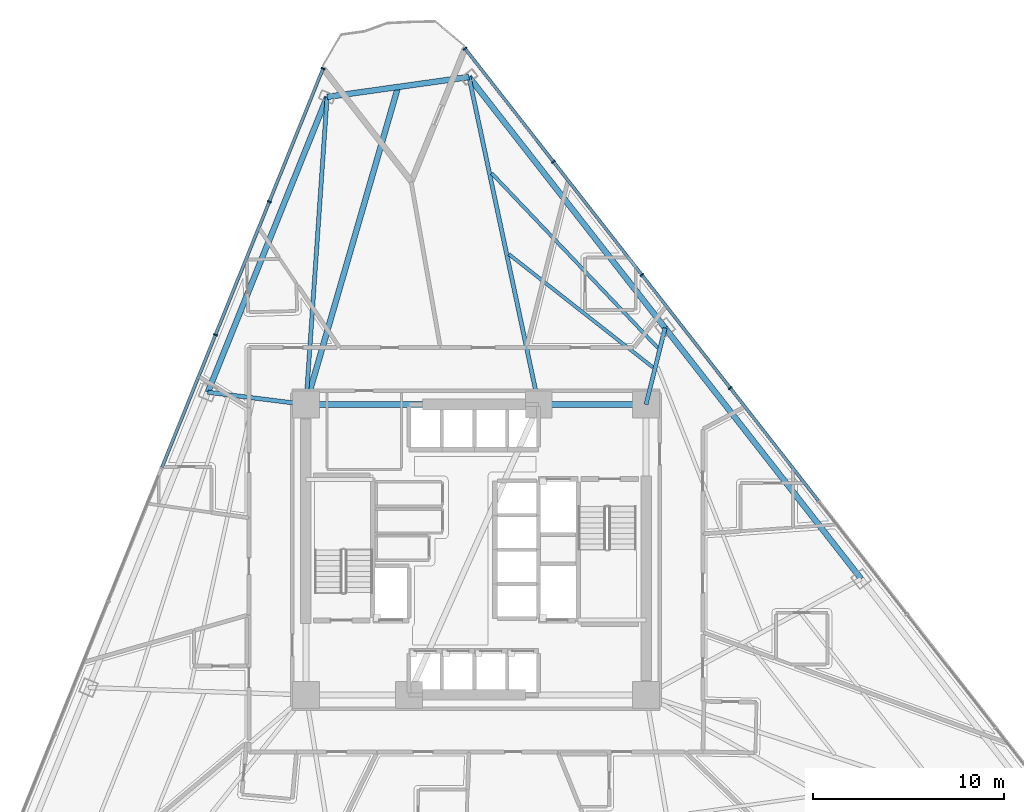
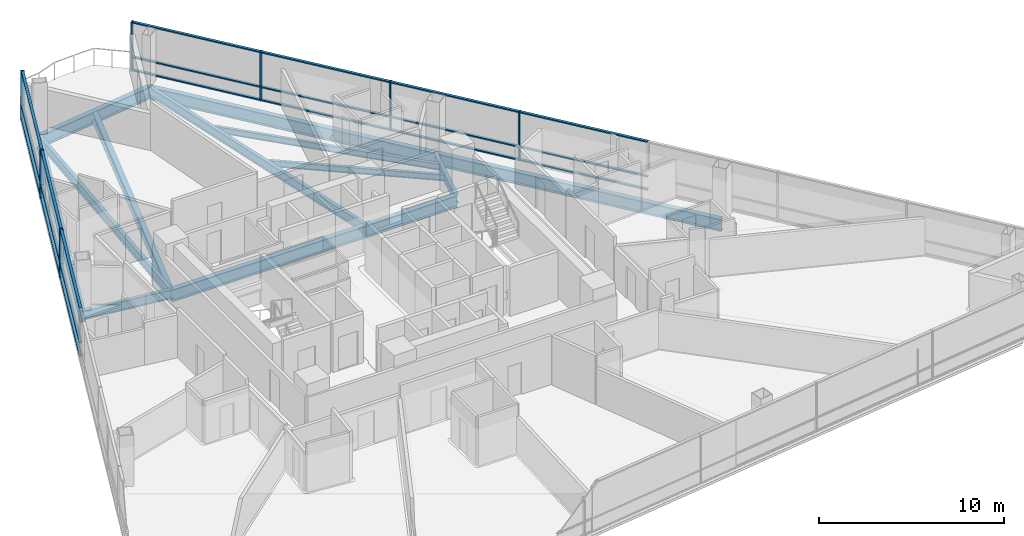
# One storey, part 5 of 15: 28 members, 13 beams, 2 elements without a shape of their own.
"""IFC4 building model written with IfcOpenShell, lengths in metres."""

import ifcopenshell
import ifcopenshell.guid

model = None  # the IFC model being written
_history = None  # IfcOwnerHistory: only IFC2X3 demands one
_inside = {}  # id of a spatial element -> (the spatial element, [elements in it])
_under = {}  # id of a project, library or spatial element -> (it, [spatial elements below it])
_declared = {}  # id of a project -> (the project, [libraries it declares])
_typed = {}  # id of a type object -> (the type object, [elements of that type])
_made_of = {}  # id of a material, layer set ... -> (it, [elements and type objects made of it])


def new_model(schema):
    """Start an empty IFC model of exactly this schema.

    Asked for "IFC4X3", IfcOpenShell would pick the latest addendum, in which some entities
    have other attributes; the version numbers below select the first issue.
    IFC2X3 requires an IfcOwnerHistory on every rooted entity: one is made here for all.
    """
    global model, _history
    if schema == "IFC4X3":
        model = ifcopenshell.file(schema_version=(4, 3, 0, 0))
    else:
        model = ifcopenshell.file(schema=schema)
    _inside.clear()
    _under.clear()
    _declared.clear()
    _typed.clear()
    _made_of.clear()
    _history = None
    if model.schema == "IFC2X3":
        org = make("IfcOrganization", Name="unknown")
        user = make(
            "IfcPersonAndOrganization",
            ThePerson=make("IfcPerson", FamilyName="unknown"),
            TheOrganization=org,
        )
        app = make(
            "IfcApplication",
            ApplicationDeveloper=org,
            Version="unknown",
            ApplicationFullName="unknown",
            ApplicationIdentifier="unknown",
        )
        _history = make(
            "IfcOwnerHistory",
            OwningUser=user,
            OwningApplication=app,
            ChangeAction="ADDED",
            CreationDate=0,
        )
    return model


def make(cls, **values):
    """One entity of the class cls with the attributes given. An attribute that is None is left unset."""
    return model.create_entity(
        cls, **{name: value for name, value in values.items() if value is not None}
    )


def rooted(cls, **values):
    """An entity with a GlobalId (a new one), such as an element, a storey or a relation."""
    return make(cls, GlobalId=ifcopenshell.guid.new(), OwnerHistory=_history, **values)


def si_unit(unit_type, name, prefix=None):
    """IfcSIUnit, for example si_unit("LENGTHUNIT", "METRE", prefix="MILLI")."""
    return make("IfcSIUnit", UnitType=unit_type, Prefix=prefix, Name=name)


def assignment(units):
    """IfcUnitAssignment: the units of a project."""
    return None if units is None else make("IfcUnitAssignment", Units=units)


def point(xyz):
    """IfcCartesianPoint."""
    return None if xyz is None else make("IfcCartesianPoint", Coordinates=xyz)


def direction(xyz):
    """IfcDirection."""
    return None if xyz is None else make("IfcDirection", DirectionRatios=xyz)


def frame(location, z_axis=None, x_axis=None):
    """IfcAxis2Placement3D, a coordinate frame: its origin and axes. An axis left out is left unset."""
    return make(
        "IfcAxis2Placement3D",
        Location=point(location),
        Axis=direction(z_axis),
        RefDirection=direction(x_axis),
    )


def frame_2d(location, x_axis=None):
    """IfcAxis2Placement2D, a coordinate frame in the plane: its origin and x axis."""
    return make(
        "IfcAxis2Placement2D", Location=point(location), RefDirection=direction(x_axis)
    )


def origin():
    """The frame at (0, 0, 0) with its axes left unset."""
    return frame((0.0, 0.0, 0.0))


def origin_2d():
    """The frame at (0, 0) in the plane with its x axis left unset."""
    return frame_2d((0.0, 0.0))


def place(relative_to, where):
    """IfcLocalPlacement: puts the frame where relative to a parent placement (None: the world)."""
    return make(
        "IfcLocalPlacement", PlacementRelTo=relative_to, RelativePlacement=where
    )


def context(
    kind, dimensions, precision=None, world=None, true_north=None, identifier=None
):
    """IfcGeometricRepresentationContext, for example the 3D "Model" context."""
    return make(
        "IfcGeometricRepresentationContext",
        ContextIdentifier=identifier,
        ContextType=kind,
        CoordinateSpaceDimension=dimensions,
        Precision=precision,
        WorldCoordinateSystem=world,
        TrueNorth=true_north,
    )


def subcontext(parent, identifier, kind, view, scale=None):
    """IfcGeometricRepresentationSubContext, for example "Body" below "Model"."""
    return make(
        "IfcGeometricRepresentationSubContext",
        ContextIdentifier=identifier,
        ContextType=kind,
        ParentContext=parent,
        TargetScale=scale,
        TargetView=view,
    )


def project(units=None, contexts=None):
    """IfcProject with its units and contexts."""
    return rooted(
        "IfcProject",
        Name="project",
        RepresentationContexts=contexts,
        UnitsInContext=assignment(units),
    )


def spatial(cls, under=None, at=None, **own):
    """A site, building, storey or space (cls), placed at a placement, below another one or the project."""
    s = rooted(cls, ObjectPlacement=at, **own)
    if under is not None:
        _under.setdefault(under.id(), (under, []))[1].append(s)
    return s


def profile(cls, at=None, kind="AREA", **sizes):
    """A parametric profile (cls). Its sizes go by their IFC names, for example OverallWidth=200.0."""
    return make(cls, ProfileType=kind, Position=at, **sizes)


def rectangle(**sizes):
    """IfcRectangleProfileDef."""
    return profile("IfcRectangleProfileDef", **sizes)


def i_section(**sizes):
    """IfcIShapeProfileDef."""
    return profile("IfcIShapeProfileDef", **sizes)


def extrude(swept, where, along, depth):
    """IfcExtrudedAreaSolid: the profile swept, set in the frame where, extruded along a direction by depth."""
    return make(
        "IfcExtrudedAreaSolid",
        SweptArea=swept,
        Position=where,
        ExtrudedDirection=direction(along),
        Depth=depth,
    )


def shape(context_of_items, identifier, shape_type, items):
    """IfcShapeRepresentation: the items that make up one representation, for example the "Body"."""
    return make(
        "IfcShapeRepresentation",
        ContextOfItems=context_of_items,
        RepresentationIdentifier=identifier,
        RepresentationType=shape_type,
        Items=items,
    )


def material(Name=None, Category=None):
    """IfcMaterial."""
    return make("IfcMaterial", Name=Name, Category=Category)


def layer(
    of_material, thickness, ventilated=None, Name=None, Category=None, Priority=None
):
    """IfcMaterialLayer: one layer of a wall or slab, of a material (None: an air gap)."""
    return make(
        "IfcMaterialLayer",
        Material=of_material,
        LayerThickness=thickness,
        IsVentilated=ventilated,
        Name=Name,
        Category=Category,
        Priority=Priority,
    )


def layer_set(layers, Name=None):
    """IfcMaterialLayerSet."""
    return make("IfcMaterialLayerSet", MaterialLayers=layers, LayerSetName=Name)


def material_profile(
    of_material, cross_section, Name=None, Category=None, Priority=None
):
    """IfcMaterialProfile: a cross section and its material."""
    return make(
        "IfcMaterialProfile",
        Name=Name,
        Material=of_material,
        Profile=cross_section,
        Priority=Priority,
        Category=Category,
    )


def profile_set(profiles, Name=None, composite=None):
    """IfcMaterialProfileSet."""
    return make(
        "IfcMaterialProfileSet",
        Name=Name,
        MaterialProfiles=profiles,
        CompositeProfile=composite,
    )


def made_of(thing, what):
    """Note that an element or type object is made of a material, layer set ...; save() writes the relation."""
    if what is not None:
        _made_of.setdefault(what.id(), (what, []))[1].append(thing)
    return thing


def type_object(cls, material=None, **own):
    """A type object (cls), such as IfcWallType, which elements share."""
    return made_of(rooted(cls, **own), material)


def element(
    cls,
    number,
    at=None,
    inside=None,
    cuts=None,
    type_object=None,
    material=None,
    context=None,
    identifier="Body",
    shape_type=None,
    held_by="IfcProductDefinitionShape",
    body=None,
    shapes=None,
    **own,
):
    """One element of the class cls, such as IfcWall. Its Tag is "e" and its number.

    at: its placement. inside: the storey or other place that contains it. cuts: it is an
    opening in that element (IfcRelVoidsElement). A single representation is given by context,
    identifier, shape_type and body (its items); several are given by shapes. held_by: the class
    of the entity that holds the representations. save() writes the other relations.
    """
    e = rooted(cls, Tag="e%d" % number, ObjectPlacement=at, **own)
    if body is not None:
        shapes = [shape(context, identifier, shape_type, body)]
    if shapes is not None:
        e.Representation = make(held_by, Representations=shapes)
    if inside is not None:
        _inside.setdefault(inside.id(), (inside, []))[1].append(e)
    if cuts is not None:
        rooted(
            "IfcRelVoidsElement", RelatingBuildingElement=cuts, RelatedOpeningElement=e
        )
    if type_object is not None:
        _typed.setdefault(type_object.id(), (type_object, []))[1].append(e)
    return made_of(e, material)


def aggregate(whole, parts):
    """IfcRelAggregates: a whole, such as a stair, and the parts it consists of."""
    return rooted("IfcRelAggregates", RelatingObject=whole, RelatedObjects=parts)


def save(model, path):
    """Write the relations noted so far, then the file.

    IfcRelAggregates (storeys below a building ...), IfcRelContainedInSpatialStructure (elements
    in a storey), IfcRelDefinesByType, IfcRelAssociatesMaterial and IfcRelDeclares: one each for
    every whole, place, type object, material and project.
    """
    for whole, parts in _under.values():
        aggregate(whole, parts)
    for where, things in _inside.values():
        rooted(
            "IfcRelContainedInSpatialStructure",
            RelatedElements=things,
            RelatingStructure=where,
        )
    for kind, things in _typed.values():
        rooted("IfcRelDefinesByType", RelatedObjects=things, RelatingType=kind)
    for what, things in _made_of.values():
        rooted("IfcRelAssociatesMaterial", RelatedObjects=things, RelatingMaterial=what)
    for by, libraries in _declared.values():
        rooted("IfcRelDeclares", RelatingContext=by, RelatedDefinitions=libraries)
    model.write(path)


model = new_model("IFC4")

# Units and contexts
model_context = context("Model", 3, precision=1e-05, world=origin(), true_north=direction((0.0, 1.0)))
body_context = subcontext(model_context, "Body", "Model", "MODEL_VIEW")
ifc_project = project(units=[si_unit("LENGTHUNIT", "METRE"), si_unit("AREAUNIT", "SQUARE_METRE"), si_unit("VOLUMEUNIT", "CUBIC_METRE"), si_unit("PLANEANGLEUNIT", "RADIAN"), si_unit("MASSUNIT", "GRAM", prefix="KILO")], contexts=[model_context])

# Site, building, storey
site_placement = place(None, origin())
site = spatial("IfcSite", under=ifc_project, at=site_placement, CompositionType="ELEMENT")
building_placement = place(site_placement, origin())
building = spatial("IfcBuilding", under=site, at=building_placement, Name="Tharavind Bronze Gate", CompositionType="ELEMENT")
storey_placement = place(building_placement, frame((0.0, 0.0, 60.449951171875)))
storey = spatial("IfcBuildingStorey", under=building, at=storey_placement, Name="L14", CompositionType="ELEMENT", Elevation=60.449951171875)

# Curtain wall, members
ifc_material_1 = material(Name="Anodised Bronze Aluminium", Category="aluminium")
ifc_layer = layer(ifc_material_1, 0.219970703125)
ifc_layer_set = layer_set([ifc_layer], Name="Anodised Bronze Aluminium")
curtain_wall_type = type_object("IfcCurtainWallType", Name="UNITISED CURTAIN WALL HOTEL", PredefinedType="USERDEFINED", material=ifc_layer_set)
curtain_wall_1_placement = place(storey_placement, origin())
curtain_wall_1 = element("IfcCurtainWall", 1, at=curtain_wall_1_placement, inside=storey, type_object=curtain_wall_type, Name="L14 unitised curtain wall hotel CW-L14-S1", ObjectType="UNITISED CURTAIN WALL", PredefinedType="USERDEFINED")
member_type_1 = type_object("IfcMemberType", Name="CURTAIN WALL MULLION 80X220", PredefinedType="MULLION", material=ifc_material_1)
member_1_placement = place(storey_placement, frame((-8.000732421875, 25.18310546875, 0.0), z_axis=(0.0, 0.0, 1.0), x_axis=(-0.374606593416, -0.927183854567, 0.0)))
member_1 = element("IfcMember", 2, at=member_1_placement, type_object=member_type_1, Name="CW-L14-S1 mullion 1", PredefinedType="MULLION", context=body_context, shape_type="SweptSolid", body=[
    extrude(rectangle(XDim=0.080078125, YDim=0.219970703125, at=origin_2d()), origin(), (0.0, 0.0, 1.0), 3.22509765625),
])
member_2_placement = place(storey_placement, frame((-10.81591796875, 18.215087890625, 0.0), z_axis=(0.0, 0.0, 1.0), x_axis=(-0.374606593416, -0.927183854567, 0.0)))
member_2 = element("IfcMember", 3, at=member_2_placement, type_object=member_type_1, Name="CW-L14-S1 mullion 2", PredefinedType="MULLION", context=body_context, shape_type="SweptSolid", body=[
    extrude(rectangle(XDim=0.080078125, YDim=0.219970703125, at=origin_2d()), origin(), (0.0, 0.0, 1.0), 3.22509765625),
])
member_3_placement = place(storey_placement, frame((-13.631103515625, 11.247314453125, 0.0), z_axis=(0.0, 0.0, 1.0), x_axis=(-0.374606593416, -0.927183854567, 0.0)))
member_3 = element("IfcMember", 4, at=member_3_placement, type_object=member_type_1, Name="CW-L14-S1 mullion 3", PredefinedType="MULLION", context=body_context, shape_type="SweptSolid", body=[
    extrude(rectangle(XDim=0.080078125, YDim=0.219970703125, at=origin_2d()), origin(), (0.0, 0.0, 1.0), 3.22509765625),
])

curtain_wall_2_placement = place(storey_placement, origin())
curtain_wall_2 = element("IfcCurtainWall", 5, at=curtain_wall_2_placement, inside=storey, type_object=curtain_wall_type, Name="L14 unitised curtain wall hotel CW-L14-S3", ObjectType="UNITISED CURTAIN WALL", PredefinedType="USERDEFINED")
member_4_placement = place(storey_placement, frame((13.306396484375, 8.4609375, 0.0), z_axis=(0.0, 0.0, 1.0), x_axis=(-0.615661475326, 0.788010753607, 0.0)))
member_4 = element("IfcMember", 6, at=member_4_placement, type_object=member_type_1, Name="CW-L14-S3 mullion 5", PredefinedType="MULLION", context=body_context, shape_type="SweptSolid", body=[
    extrude(rectangle(XDim=0.080078125, YDim=0.219970703125, at=origin_2d()), origin(), (0.0, 0.0, 1.0), 3.22509765625),
])
member_5_placement = place(storey_placement, frame((8.6796875, 14.383056640625, 0.0), z_axis=(0.0, 0.0, 1.0), x_axis=(-0.615661475326, 0.788010753607, 0.0)))
member_5 = element("IfcMember", 7, at=member_5_placement, type_object=member_type_1, Name="CW-L14-S3 mullion 6", PredefinedType="MULLION", context=body_context, shape_type="SweptSolid", body=[
    extrude(rectangle(XDim=0.080078125, YDim=0.219970703125, at=origin_2d()), origin(), (0.0, 0.0, 1.0), 3.22509765625),
])
member_6_placement = place(storey_placement, frame((4.052978515625, 20.304931640625, 0.0), z_axis=(0.0, 0.0, 1.0), x_axis=(-0.615661475326, 0.788010753607, 0.0)))
member_6 = element("IfcMember", 8, at=member_6_placement, type_object=member_type_1, Name="CW-L14-S3 mullion 7", PredefinedType="MULLION", context=body_context, shape_type="SweptSolid", body=[
    extrude(rectangle(XDim=0.080078125, YDim=0.219970703125, at=origin_2d()), origin(), (0.0, 0.0, 1.0), 3.22509765625),
])
member_7_placement = place(storey_placement, frame((-0.57373046875, 26.226806640625, 0.0), z_axis=(0.0, 0.0, 1.0), x_axis=(-0.615661475326, 0.788010753607, 0.0)))
member_7 = element("IfcMember", 9, at=member_7_placement, type_object=member_type_1, Name="CW-L14-S3 mullion 8", PredefinedType="MULLION", context=body_context, shape_type="SweptSolid", body=[
    extrude(rectangle(XDim=0.080078125, YDim=0.219970703125, at=origin_2d()), origin(), (0.0, 0.0, 1.0), 3.22509765625),
])

# Member
member_type_2 = type_object("IfcMemberType", Name="CURTAIN WALL TRANSOM 80X160", PredefinedType="USERDEFINED", material=ifc_material_1)
member_8_placement = place(storey_placement, frame((-9.408203125, 21.69921875, 0.0), z_axis=(0.0, 0.0, 1.0), x_axis=(-0.374606593416, -0.927183854567, 0.0)))
member_8 = element("IfcMember", 10, at=member_8_placement, type_object=member_type_2, Name="CW-L14-S1 transom TB1", ObjectType="TRANSOM", PredefinedType="USERDEFINED", context=body_context, shape_type="SweptSolid", body=[
    extrude(rectangle(XDim=7.447021484375, YDim=0.159912109375, at=origin_2d()), origin(), (0.0, 0.0, 1.0), 0.080078125),
])

member_9_placement = place(storey_placement, frame((-9.408203125, 21.69921875, 0.860107421875), z_axis=(0.0, 0.0, 1.0), x_axis=(-0.374606593416, -0.927183854567, 0.0)))
member_9 = element("IfcMember", 11, at=member_9_placement, type_object=member_type_2, Name="CW-L14-S1 transom TS1", ObjectType="TRANSOM", PredefinedType="USERDEFINED", context=body_context, shape_type="SweptSolid", body=[
    extrude(rectangle(XDim=7.447021484375, YDim=0.159912109375, at=origin_2d()), origin(), (0.0, 0.0, 1.0), 0.080078125),
])

member_10_placement = place(storey_placement, frame((-9.408203125, 21.69921875, 3.14501953125), z_axis=(0.0, 0.0, 1.0), x_axis=(-0.374606593416, -0.927183854567, 0.0)))
member_10 = element("IfcMember", 12, at=member_10_placement, type_object=member_type_2, Name="CW-L14-S1 transom TT1", ObjectType="TRANSOM", PredefinedType="USERDEFINED", context=body_context, shape_type="SweptSolid", body=[
    extrude(rectangle(XDim=7.447021484375, YDim=0.159912109375, at=origin_2d()), origin(), (0.0, 0.0, 1.0), 0.080078125),
])

member_11_placement = place(storey_placement, frame((-12.223388671875, 14.731201171875, 0.0), z_axis=(0.0, 0.0, 1.0), x_axis=(-0.374606593416, -0.927183854567, 0.0)))
member_11 = element("IfcMember", 13, at=member_11_placement, type_object=member_type_2, Name="CW-L14-S1 transom TB2", ObjectType="TRANSOM", PredefinedType="USERDEFINED", context=body_context, shape_type="SweptSolid", body=[
    extrude(rectangle(XDim=7.447021484375, YDim=0.159912109375, at=origin_2d()), origin(), (0.0, 0.0, 1.0), 0.080078125),
])

member_12_placement = place(storey_placement, frame((-12.223388671875, 14.731201171875, 0.860107421875), z_axis=(0.0, 0.0, 1.0), x_axis=(-0.374606593416, -0.927183854567, 0.0)))
member_12 = element("IfcMember", 14, at=member_12_placement, type_object=member_type_2, Name="CW-L14-S1 transom TS2", ObjectType="TRANSOM", PredefinedType="USERDEFINED", context=body_context, shape_type="SweptSolid", body=[
    extrude(rectangle(XDim=7.447021484375, YDim=0.159912109375, at=origin_2d()), origin(), (0.0, 0.0, 1.0), 0.080078125),
])

member_13_placement = place(storey_placement, frame((-12.223388671875, 14.731201171875, 3.14501953125), z_axis=(0.0, 0.0, 1.0), x_axis=(-0.374606593416, -0.927183854567, 0.0)))
member_13 = element("IfcMember", 15, at=member_13_placement, type_object=member_type_2, Name="CW-L14-S1 transom TT2", ObjectType="TRANSOM", PredefinedType="USERDEFINED", context=body_context, shape_type="SweptSolid", body=[
    extrude(rectangle(XDim=7.447021484375, YDim=0.159912109375, at=origin_2d()), origin(), (0.0, 0.0, 1.0), 0.080078125),
])

member_14_placement = place(storey_placement, frame((-15.038818359375, 7.763427734375, 0.0), z_axis=(0.0, 0.0, 1.0), x_axis=(-0.374606593416, -0.927183854567, 0.0)))
member_14 = element("IfcMember", 16, at=member_14_placement, type_object=member_type_2, Name="CW-L14-S1 transom TB3", ObjectType="TRANSOM", PredefinedType="USERDEFINED", context=body_context, shape_type="SweptSolid", body=[
    extrude(rectangle(XDim=7.447021484375, YDim=0.159912109375, at=origin_2d()), origin(), (0.0, 0.0, 1.0), 0.080078125),
])

member_15_placement = place(storey_placement, frame((-15.038818359375, 7.763427734375, 0.860107421875), z_axis=(0.0, 0.0, 1.0), x_axis=(-0.374606593416, -0.927183854567, 0.0)))
member_15 = element("IfcMember", 17, at=member_15_placement, type_object=member_type_2, Name="CW-L14-S1 transom TS3", ObjectType="TRANSOM", PredefinedType="USERDEFINED", context=body_context, shape_type="SweptSolid", body=[
    extrude(rectangle(XDim=7.447021484375, YDim=0.159912109375, at=origin_2d()), origin(), (0.0, 0.0, 1.0), 0.080078125),
])

member_16_placement = place(storey_placement, frame((-15.038818359375, 7.763427734375, 3.14501953125), z_axis=(0.0, 0.0, 1.0), x_axis=(-0.374606593416, -0.927183854567, 0.0)))
member_16 = element("IfcMember", 18, at=member_16_placement, type_object=member_type_2, Name="CW-L14-S1 transom TT3", ObjectType="TRANSOM", PredefinedType="USERDEFINED", context=body_context, shape_type="SweptSolid", body=[
    extrude(rectangle(XDim=7.447021484375, YDim=0.159912109375, at=origin_2d()), origin(), (0.0, 0.0, 1.0), 0.080078125),
])

aggregate(curtain_wall_1, [member_1, member_2, member_3, member_8, member_9, member_10, member_11, member_12, member_13, member_14, member_15, member_16])

member_17_placement = place(storey_placement, frame((15.619873046875, 5.5, 0.0), z_axis=(0.0, 0.0, 1.0), x_axis=(-0.615661475326, 0.788010753607, 0.0)))
member_17 = element("IfcMember", 19, at=member_17_placement, type_object=member_type_2, Name="CW-L14-S3 transom TB4", ObjectType="TRANSOM", PredefinedType="USERDEFINED", context=body_context, shape_type="SweptSolid", body=[
    extrude(rectangle(XDim=7.447021484375, YDim=0.159912109375, at=origin_2d()), origin(), (0.0, 0.0, 1.0), 0.080078125),
])

member_18_placement = place(storey_placement, frame((15.619873046875, 5.5, 0.860107421875), z_axis=(0.0, 0.0, 1.0), x_axis=(-0.615661475326, 0.788010753607, 0.0)))
member_18 = element("IfcMember", 20, at=member_18_placement, type_object=member_type_2, Name="CW-L14-S3 transom TS4", ObjectType="TRANSOM", PredefinedType="USERDEFINED", context=body_context, shape_type="SweptSolid", body=[
    extrude(rectangle(XDim=7.447021484375, YDim=0.159912109375, at=origin_2d()), origin(), (0.0, 0.0, 1.0), 0.080078125),
])

member_19_placement = place(storey_placement, frame((15.619873046875, 5.5, 3.14501953125), z_axis=(0.0, 0.0, 1.0), x_axis=(-0.615661475326, 0.788010753607, 0.0)))
member_19 = element("IfcMember", 21, at=member_19_placement, type_object=member_type_2, Name="CW-L14-S3 transom TT4", ObjectType="TRANSOM", PredefinedType="USERDEFINED", context=body_context, shape_type="SweptSolid", body=[
    extrude(rectangle(XDim=7.447021484375, YDim=0.159912109375, at=origin_2d()), origin(), (0.0, 0.0, 1.0), 0.080078125),
])

member_20_placement = place(storey_placement, frame((10.9931640625, 11.422119140625, 0.0), z_axis=(0.0, 0.0, 1.0), x_axis=(-0.615661475326, 0.788010753607, 0.0)))
member_20 = element("IfcMember", 22, at=member_20_placement, type_object=member_type_2, Name="CW-L14-S3 transom TB5", ObjectType="TRANSOM", PredefinedType="USERDEFINED", context=body_context, shape_type="SweptSolid", body=[
    extrude(rectangle(XDim=7.447021484375, YDim=0.159912109375, at=origin_2d()), origin(), (0.0, 0.0, 1.0), 0.080078125),
])

member_21_placement = place(storey_placement, frame((10.9931640625, 11.422119140625, 0.860107421875), z_axis=(0.0, 0.0, 1.0), x_axis=(-0.615661475326, 0.788010753607, 0.0)))
member_21 = element("IfcMember", 23, at=member_21_placement, type_object=member_type_2, Name="CW-L14-S3 transom TS5", ObjectType="TRANSOM", PredefinedType="USERDEFINED", context=body_context, shape_type="SweptSolid", body=[
    extrude(rectangle(XDim=7.447021484375, YDim=0.159912109375, at=origin_2d()), origin(), (0.0, 0.0, 1.0), 0.080078125),
])

member_22_placement = place(storey_placement, frame((10.9931640625, 11.422119140625, 3.14501953125), z_axis=(0.0, 0.0, 1.0), x_axis=(-0.615661475326, 0.788010753607, 0.0)))
member_22 = element("IfcMember", 24, at=member_22_placement, type_object=member_type_2, Name="CW-L14-S3 transom TT5", ObjectType="TRANSOM", PredefinedType="USERDEFINED", context=body_context, shape_type="SweptSolid", body=[
    extrude(rectangle(XDim=7.447021484375, YDim=0.159912109375, at=origin_2d()), origin(), (0.0, 0.0, 1.0), 0.080078125),
])

member_23_placement = place(storey_placement, frame((6.366455078125, 17.343994140625, 0.0), z_axis=(0.0, 0.0, 1.0), x_axis=(-0.615661475326, 0.788010753607, 0.0)))
member_23 = element("IfcMember", 25, at=member_23_placement, type_object=member_type_2, Name="CW-L14-S3 transom TB6", ObjectType="TRANSOM", PredefinedType="USERDEFINED", context=body_context, shape_type="SweptSolid", body=[
    extrude(rectangle(XDim=7.447021484375, YDim=0.159912109375, at=origin_2d()), origin(), (0.0, 0.0, 1.0), 0.080078125),
])

member_24_placement = place(storey_placement, frame((6.366455078125, 17.343994140625, 0.860107421875), z_axis=(0.0, 0.0, 1.0), x_axis=(-0.615661475326, 0.788010753607, 0.0)))
member_24 = element("IfcMember", 26, at=member_24_placement, type_object=member_type_2, Name="CW-L14-S3 transom TS6", ObjectType="TRANSOM", PredefinedType="USERDEFINED", context=body_context, shape_type="SweptSolid", body=[
    extrude(rectangle(XDim=7.447021484375, YDim=0.159912109375, at=origin_2d()), origin(), (0.0, 0.0, 1.0), 0.080078125),
])

member_25_placement = place(storey_placement, frame((6.366455078125, 17.343994140625, 3.14501953125), z_axis=(0.0, 0.0, 1.0), x_axis=(-0.615661475326, 0.788010753607, 0.0)))
member_25 = element("IfcMember", 27, at=member_25_placement, type_object=member_type_2, Name="CW-L14-S3 transom TT6", ObjectType="TRANSOM", PredefinedType="USERDEFINED", context=body_context, shape_type="SweptSolid", body=[
    extrude(rectangle(XDim=7.447021484375, YDim=0.159912109375, at=origin_2d()), origin(), (0.0, 0.0, 1.0), 0.080078125),
])

member_26_placement = place(storey_placement, frame((1.73974609375, 23.265869140625, 0.0), z_axis=(0.0, 0.0, 1.0), x_axis=(-0.615661475326, 0.788010753607, 0.0)))
member_26 = element("IfcMember", 28, at=member_26_placement, type_object=member_type_2, Name="CW-L14-S3 transom TB7", ObjectType="TRANSOM", PredefinedType="USERDEFINED", context=body_context, shape_type="SweptSolid", body=[
    extrude(rectangle(XDim=7.447021484375, YDim=0.159912109375, at=origin_2d()), origin(), (0.0, 0.0, 1.0), 0.080078125),
])

member_27_placement = place(storey_placement, frame((1.73974609375, 23.265869140625, 0.860107421875), z_axis=(0.0, 0.0, 1.0), x_axis=(-0.615661475326, 0.788010753607, 0.0)))
member_27 = element("IfcMember", 29, at=member_27_placement, type_object=member_type_2, Name="CW-L14-S3 transom TS7", ObjectType="TRANSOM", PredefinedType="USERDEFINED", context=body_context, shape_type="SweptSolid", body=[
    extrude(rectangle(XDim=7.447021484375, YDim=0.159912109375, at=origin_2d()), origin(), (0.0, 0.0, 1.0), 0.080078125),
])

member_28_placement = place(storey_placement, frame((1.73974609375, 23.265869140625, 3.14501953125), z_axis=(0.0, 0.0, 1.0), x_axis=(-0.615661475326, 0.788010753607, 0.0)))
member_28 = element("IfcMember", 30, at=member_28_placement, type_object=member_type_2, Name="CW-L14-S3 transom TT7", ObjectType="TRANSOM", PredefinedType="USERDEFINED", context=body_context, shape_type="SweptSolid", body=[
    extrude(rectangle(XDim=7.447021484375, YDim=0.159912109375, at=origin_2d()), origin(), (0.0, 0.0, 1.0), 0.080078125),
])

aggregate(curtain_wall_2, [member_4, member_5, member_6, member_7, member_17, member_18, member_19, member_20, member_21, member_22, member_23, member_24, member_25, member_26, member_27, member_28])

# Beams
ifc_material_2 = material(Name="Steel S355", Category="steel")
ifc_material_profile_1 = material_profile(ifc_material_2, i_section(OverallWidth=0.300048828125, OverallDepth=0.64990234375, WebThickness=0.01611328125, FlangeThickness=0.031005859375, at=origin_2d()), Name="HE650B")
ifc_profile_set_1 = profile_set([ifc_material_profile_1], Name="Steel S355")
beam_type_1 = type_object("IfcBeamType", Name="PRIMARY GIRDER HE650B", PredefinedType="USERDEFINED", material=ifc_profile_set_1)
beam_1_placement = place(storey_placement, frame((-8.89990234375, 7.60009765625, -0.5), z_axis=(0.278626347577, 0.960399582693, 0.0), x_axis=(-0.960399582693, 0.278626347577, 0.0)))
element("IfcBeam", 31, at=beam_1_placement, inside=storey, type_object=beam_type_1, Name="L14 primary girder he650b BM-L14-BLCSB", ObjectType="GIRDER", PredefinedType="USERDEFINED", context=body_context, shape_type="SweptSolid", body=[
    extrude(i_section(OverallWidth=0.300048828125, OverallDepth=0.64990234375, WebThickness=0.01611328125, FlangeThickness=0.031005859375, at=origin_2d()), origin(), (0.0, 0.0, 1.0), 17.3046875),
])
ifc_material_profile_2 = material_profile(ifc_material_2, i_section(OverallWidth=0.219970703125, OverallDepth=0.60009765625, WebThickness=0.011962890625, FlangeThickness=0.01904296875, at=origin_2d()), Name="IPE600")
ifc_profile_set_2 = profile_set([ifc_material_profile_2], Name="Steel S355")
beam_type_2 = type_object("IfcBeamType", Name="PRIMARY GIRDER IPE600", PredefinedType="USERDEFINED", material=ifc_profile_set_2)
beam_2_placement = place(storey_placement, frame((-7.7919921875, 23.69775390625, -0.474853515625), z_axis=(-0.06866188826, -0.997639987721, 0.0), x_axis=(0.997639987721, -0.06866188826, 0.0)))
element("IfcBeam", 32, at=beam_2_placement, inside=storey, type_object=beam_type_2, Name="L14 primary girder ipe600 BM-L14-RAD01", ObjectType="GIRDER", PredefinedType="USERDEFINED", context=body_context, shape_type="SweptSolid", body=[
    extrude(i_section(OverallWidth=0.219970703125, OverallDepth=0.60009765625, WebThickness=0.011962890625, FlangeThickness=0.01904296875, at=origin_2d()), origin(), (0.0, 0.0, 1.0), 16.1357421875),
])
beam_3_placement = place(storey_placement, frame((-14.036376953125, 8.2421875, -0.474853515625), z_axis=(0.992277151101, -0.124040539351, 0.0), x_axis=(0.124040539351, 0.992277151101, 0.0)))
element("IfcBeam", 33, at=beam_3_placement, inside=storey, type_object=beam_type_2, Name="L14 primary girder ipe600 BM-L14-RAD02", ObjectType="GIRDER", PredefinedType="USERDEFINED", context=body_context, shape_type="SweptSolid", body=[
    extrude(i_section(OverallWidth=0.219970703125, OverallDepth=0.60009765625, WebThickness=0.011962890625, FlangeThickness=0.01904296875, at=origin_2d()), origin(), (0.0, 0.0, 1.0), 5.176513671875),
])
beam_4_placement = place(storey_placement, frame((9.897705078125, 11.60595703125, -0.474853515625), z_axis=(-0.241700633281, -0.970350866373, 0.0), x_axis=(0.970350866373, -0.241700633281, 0.0)))
element("IfcBeam", 34, at=beam_4_placement, inside=storey, type_object=beam_type_2, Name="L14 primary girder ipe600 BM-L14-RAD11", ObjectType="GIRDER", PredefinedType="USERDEFINED", context=body_context, shape_type="SweptSolid", body=[
    extrude(i_section(OverallWidth=0.219970703125, OverallDepth=0.60009765625, WebThickness=0.011962890625, FlangeThickness=0.01904296875, at=origin_2d()), origin(), (0.0, 0.0, 1.0), 4.128173828125),
])
beam_5_placement = place(storey_placement, frame((-0.364990234375, 24.741455078125, -0.474853515625), z_axis=(0.207994213737, -0.978130056307, 0.0), x_axis=(0.978130056307, 0.207994213737, 0.0)))
element("IfcBeam", 35, at=beam_5_placement, inside=storey, type_object=beam_type_2, Name="L14 primary girder ipe600 BM-L14-RAD12", ObjectType="GIRDER", PredefinedType="USERDEFINED", context=body_context, shape_type="SweptSolid", body=[
    extrude(i_section(OverallWidth=0.219970703125, OverallDepth=0.60009765625, WebThickness=0.011962890625, FlangeThickness=0.01904296875, at=origin_2d()), origin(), (0.0, 0.0, 1.0), 17.524658203125),
])
ifc_material_profile_3 = material_profile(ifc_material_2, i_section(OverallWidth=0.300048828125, OverallDepth=0.800048828125, WebThickness=0.017578125, FlangeThickness=0.032958984375, at=origin_2d()), Name="HE800B")
ifc_profile_set_3 = profile_set([ifc_material_profile_3], Name="Steel S355")
beam_type_3 = type_object("IfcBeamType", Name="RING GIRDER HE800B", PredefinedType="USERDEFINED", material=ifc_profile_set_3)
beam_6_placement = place(storey_placement, frame((8.89990234375, 7.60009765625, -0.574951171875), z_axis=(-1.0, 0.0, 0.0), x_axis=(0.0, -1.0, 0.0)))
element("IfcBeam", 36, at=beam_6_placement, inside=storey, type_object=beam_type_3, Name="L14 ring girder he800b BM-L14-CR4", ObjectType="GIRDER", PredefinedType="USERDEFINED", context=body_context, shape_type="SweptSolid", body=[
    extrude(i_section(OverallWidth=0.300048828125, OverallDepth=0.800048828125, WebThickness=0.017578125, FlangeThickness=0.032958984375, at=origin_2d()), origin(), (0.0, 0.0, 1.0), 5.619873046875),
])
beam_7_placement = place(storey_placement, frame((3.280029296875, 7.60009765625, -0.574951171875), z_axis=(-1.0, 0.0, 0.0), x_axis=(0.0, -1.0, 0.0)))
element("IfcBeam", 37, at=beam_7_placement, inside=storey, type_object=beam_type_3, Name="L14 ring girder he800b BM-L14-CR5", ObjectType="GIRDER", PredefinedType="USERDEFINED", context=body_context, shape_type="SweptSolid", body=[
    extrude(i_section(OverallWidth=0.300048828125, OverallDepth=0.800048828125, WebThickness=0.017578125, FlangeThickness=0.032958984375, at=origin_2d()), origin(), (0.0, 0.0, 1.0), 12.179931640625),
])
beam_8_placement = place(storey_placement, frame((-7.7919921875, 23.69775390625, -0.574951171875), z_axis=(-0.374603014443, -0.927185300557, 0.0), x_axis=(0.927185300557, -0.374603014443, 0.0)))
element("IfcBeam", 38, at=beam_8_placement, inside=storey, type_object=beam_type_3, Name="L14 ring girder he800b BM-L14-PRG01", ObjectType="GIRDER", PredefinedType="USERDEFINED", context=body_context, shape_type="SweptSolid", body=[
    extrude(i_section(OverallWidth=0.300048828125, OverallDepth=0.800048828125, WebThickness=0.017578125, FlangeThickness=0.032958984375, at=origin_2d()), origin(), (0.0, 0.0, 1.0), 16.66943359375),
])
beam_9_placement = place(storey_placement, frame((20.16015625, -1.529296875, -0.574951171875), z_axis=(-0.615663937513, 0.788008829929, 0.0), x_axis=(-0.788008829929, -0.615663937513, 0.0)))
element("IfcBeam", 39, at=beam_9_placement, inside=storey, type_object=beam_type_3, Name="L14 ring girder he800b BM-L14-PRG10", ObjectType="GIRDER", PredefinedType="USERDEFINED", context=body_context, shape_type="SweptSolid", body=[
    extrude(i_section(OverallWidth=0.300048828125, OverallDepth=0.800048828125, WebThickness=0.017578125, FlangeThickness=0.032958984375, at=origin_2d()), origin(), (0.0, 0.0, 1.0), 16.6689453125),
])
beam_10_placement = place(storey_placement, frame((9.897705078125, 11.60595703125, -0.574951171875), z_axis=(-0.615665926595, 0.788007275873, 0.0), x_axis=(-0.788007275873, -0.615665926595, 0.0)))
element("IfcBeam", 40, at=beam_10_placement, inside=storey, type_object=beam_type_3, Name="L14 ring girder he800b BM-L14-PRG11", ObjectType="GIRDER", PredefinedType="USERDEFINED", context=body_context, shape_type="SweptSolid", body=[
    extrude(i_section(OverallWidth=0.300048828125, OverallDepth=0.800048828125, WebThickness=0.017578125, FlangeThickness=0.032958984375, at=origin_2d()), origin(), (0.0, 0.0, 1.0), 16.669189453125),
])
beam_11_placement = place(storey_placement, frame((-0.364990234375, 24.741455078125, -0.574951171875), z_axis=(-0.990269830577, -0.139160564272, 0.0), x_axis=(0.139160564272, -0.990269830577, 0.0)))
element("IfcBeam", 41, at=beam_11_placement, inside=storey, type_object=beam_type_3, Name="L14 ring girder he800b BM-L14-PRG12", ObjectType="GIRDER", PredefinedType="USERDEFINED", context=body_context, shape_type="SweptSolid", body=[
    extrude(i_section(OverallWidth=0.300048828125, OverallDepth=0.800048828125, WebThickness=0.017578125, FlangeThickness=0.032958984375, at=origin_2d()), origin(), (0.0, 0.0, 1.0), 7.5),
])
ifc_material_profile_4 = material_profile(ifc_material_2, i_section(OverallWidth=0.179931640625, OverallDepth=0.39990234375, WebThickness=0.008544921875, FlangeThickness=0.013427734375, at=origin_2d()), Name="IPE400")
ifc_profile_set_4 = profile_set([ifc_material_profile_4], Name="Steel S355")
beam_type_4 = type_object("IfcBeamType", Name="SECONDARY FLOOR JOIST IPE400", PredefinedType="JOIST", material=ifc_profile_set_4)
beam_12_placement = place(storey_placement, frame((9.265869140625, 9.539794921875, -0.375), z_axis=(-0.786502051984, 0.617587663595, 0.0), x_axis=(-0.617587663595, -0.786502051984, 0.0)))
element("IfcBeam", 42, at=beam_12_placement, inside=storey, type_object=beam_type_4, Name="L14 secondary floor joist ipe400 BM-L14-JSTA11", PredefinedType="JOIST", context=body_context, shape_type="SweptSolid", body=[
    extrude(i_section(OverallWidth=0.179931640625, OverallDepth=0.39990234375, WebThickness=0.008544921875, FlangeThickness=0.013427734375, at=origin_2d()), origin(), (0.0, 0.0, 1.0), 9.58984375),
])
beam_13_placement = place(storey_placement, frame((9.520751953125, 10.5615234375, -0.375), z_axis=(-0.689438692016, 0.724344041151, 0.0), x_axis=(-0.724344041151, -0.689438692016, 0.0)))
element("IfcBeam", 43, at=beam_13_placement, inside=storey, type_object=beam_type_4, Name="L14 secondary floor joist ipe400 BM-L14-JSTB11", PredefinedType="JOIST", context=body_context, shape_type="SweptSolid", body=[
    extrude(i_section(OverallWidth=0.179931640625, OverallDepth=0.39990234375, WebThickness=0.008544921875, FlangeThickness=0.013427734375, at=origin_2d()), origin(), (0.0, 0.0, 1.0), 12.617919921875),
])

save(model, "model.ifc")
